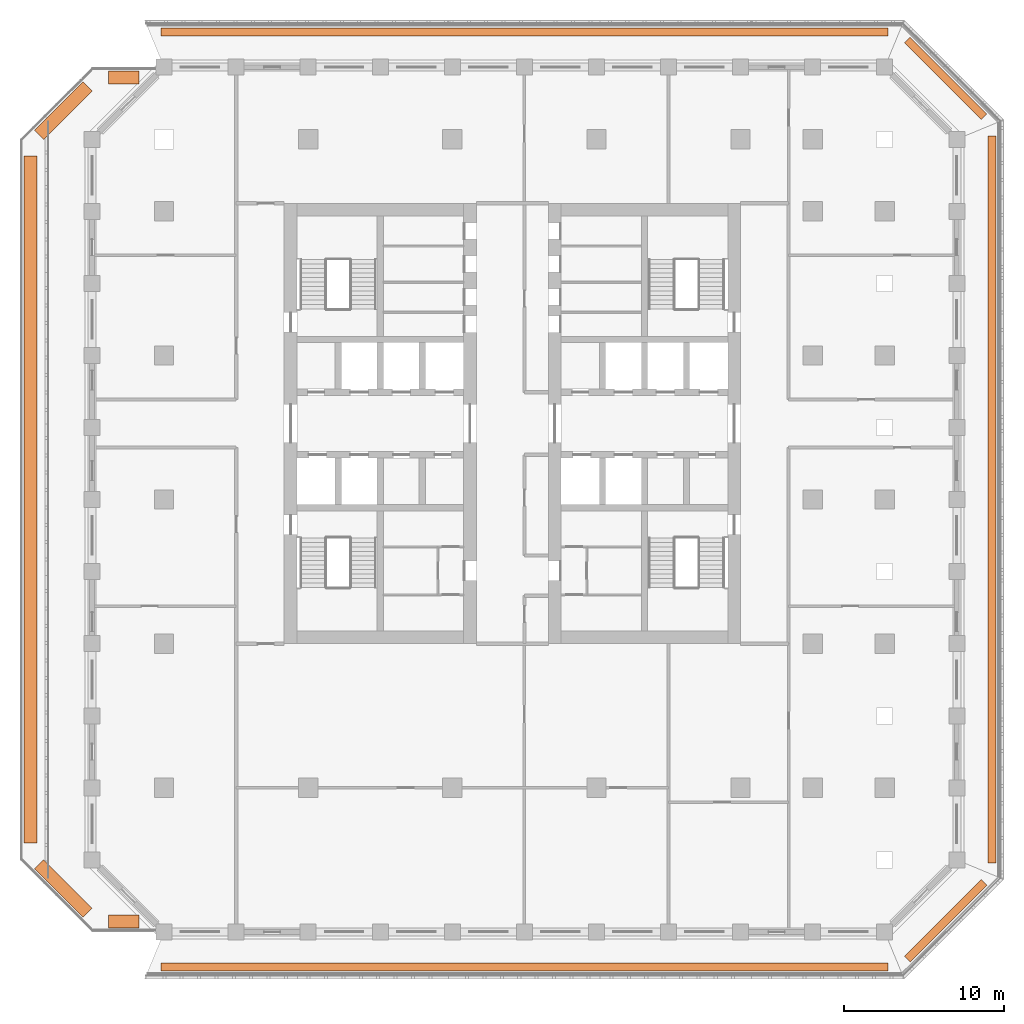
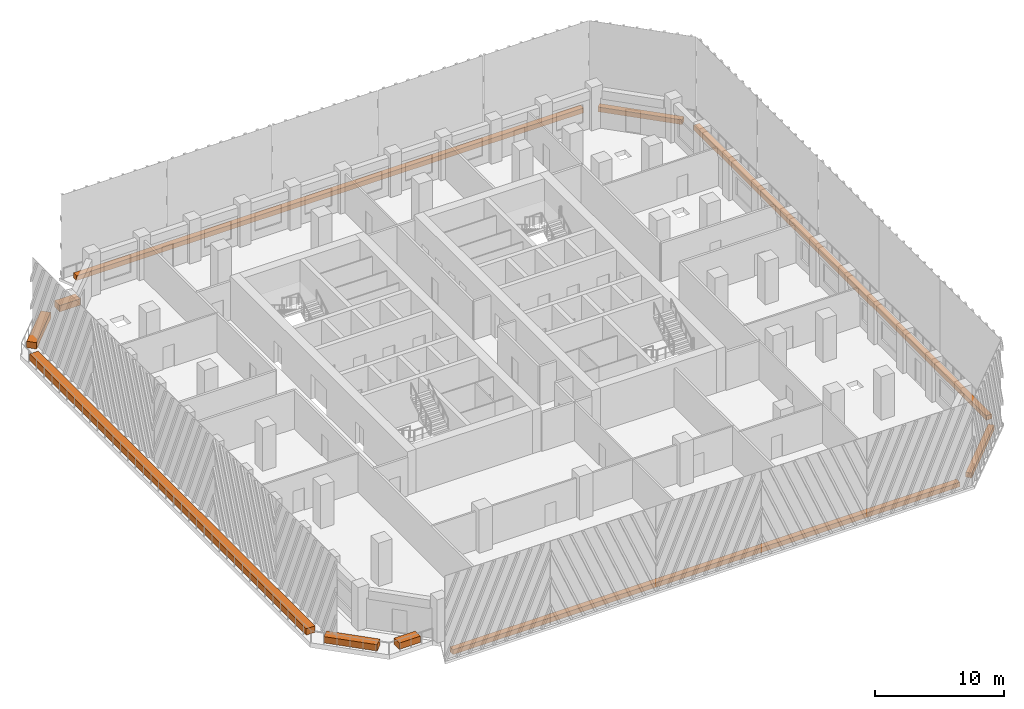
# One storey, part 16 of 16: 10 proxies.
"""IFC4 building model written with IfcOpenShell, lengths in metres."""

from ifc_helpers import new_model, si_unit, direction, frame, origin, origin_2d, place, context, subcontext, project, spatial, rectangle, extrude, material, type_object, element, save


model = new_model("IFC4")

# Units and contexts
model_context = context("Model", 3, precision=1e-05, world=origin(), true_north=direction((0.0, 1.0)))
body_context = subcontext(model_context, "Body", "Model", "MODEL_VIEW")
ifc_project = project(units=[si_unit("LENGTHUNIT", "METRE"), si_unit("AREAUNIT", "SQUARE_METRE"), si_unit("VOLUMEUNIT", "CUBIC_METRE"), si_unit("PLANEANGLEUNIT", "RADIAN"), si_unit("MASSUNIT", "GRAM", prefix="KILO")], contexts=[model_context])

# Site, building, storey
site_placement = place(None, origin())
site = spatial("IfcSite", under=ifc_project, at=site_placement, CompositionType="ELEMENT")
building_placement = place(site_placement, origin())
building = spatial("IfcBuilding", under=site, at=building_placement, Name="Corbel Stack Research Tower", CompositionType="ELEMENT")
storey_placement = place(building_placement, frame((0.0, 0.0, 191.5)))
storey = spatial("IfcBuildingStorey", under=building, at=storey_placement, Name="L43", CompositionType="ELEMENT", Elevation=191.5)

# Proxies
ifc_material_1 = material(Name="Concrete C45/55", Category="concrete")
building_element_proxy_type_1 = type_object("IfcBuildingElementProxyType", Name="Planter box", PredefinedType="USERDEFINED", material=ifc_material_1)
proxy_1_placement = place(storey_placement, frame((4.5, -29.199951171875, 0.0), z_axis=(0.0, 0.0, 1.0), x_axis=(1.0, 0.0, 0.0)))
element("IfcBuildingElementProxy", 1, at=proxy_1_placement, inside=storey, type_object=building_element_proxy_type_1, Name="Planter L43 S", ObjectType="PLANTER", PredefinedType="USERDEFINED", context=body_context, shape_type="SweptSolid", body=[
    extrude(rectangle(XDim=45.41064453125, YDim=0.5, at=origin_2d()), origin(), (0.0, 0.0, 1.0), 0.449951171875),
])
proxy_2_placement = place(storey_placement, frame((30.8056640625, -26.3056640625, 0.0), z_axis=(0.0, 0.0, 1.0), x_axis=(0.707106781187, 0.707106781187, 0.0)))
element("IfcBuildingElementProxy", 2, at=proxy_2_placement, inside=storey, type_object=building_element_proxy_type_1, Name="Planter L43 SE", ObjectType="PLANTER", PredefinedType="USERDEFINED", context=body_context, shape_type="SweptSolid", body=[
    extrude(rectangle(XDim=6.774658203125, YDim=0.5, at=origin_2d()), origin(), (0.0, 0.0, 1.0), 0.449951171875),
])
proxy_3_placement = place(storey_placement, frame((33.699951171875, 0.0, 0.0), z_axis=(0.0, 0.0, 1.0), x_axis=(0.0, 1.0, 0.0)))
element("IfcBuildingElementProxy", 3, at=proxy_3_placement, inside=storey, type_object=building_element_proxy_type_1, Name="Planter L43 E", ObjectType="PLANTER", PredefinedType="USERDEFINED", context=body_context, shape_type="SweptSolid", body=[
    extrude(rectangle(XDim=45.41064453125, YDim=0.5, at=origin_2d()), origin(), (0.0, 0.0, 1.0), 0.449951171875),
])
proxy_4_placement = place(storey_placement, frame((30.8056640625, 26.3056640625, 0.0), z_axis=(0.0, 0.0, 1.0), x_axis=(-0.707106781187, 0.707106781187, 0.0)))
element("IfcBuildingElementProxy", 4, at=proxy_4_placement, inside=storey, type_object=building_element_proxy_type_1, Name="Planter L43 NE", ObjectType="PLANTER", PredefinedType="USERDEFINED", context=body_context, shape_type="SweptSolid", body=[
    extrude(rectangle(XDim=6.774658203125, YDim=0.5, at=origin_2d()), origin(), (0.0, 0.0, 1.0), 0.449951171875),
])
proxy_5_placement = place(storey_placement, frame((4.5, 29.199951171875, 0.0), z_axis=(0.0, 0.0, 1.0), x_axis=(-1.0, 0.0, 0.0)))
element("IfcBuildingElementProxy", 5, at=proxy_5_placement, inside=storey, type_object=building_element_proxy_type_1, Name="Planter L43 N", ObjectType="PLANTER", PredefinedType="USERDEFINED", context=body_context, shape_type="SweptSolid", body=[
    extrude(rectangle(XDim=45.41064453125, YDim=0.5, at=origin_2d()), origin(), (0.0, 0.0, 1.0), 0.449951171875),
])
ifc_material_2 = material(Name="Concrete C45/55", Category="concrete")
building_element_proxy_type_2 = type_object("IfcBuildingElementProxyType", Name="Terrace planter bed", PredefinedType="USERDEFINED", material=ifc_material_2)
proxy_6_placement = place(storey_placement, frame((-20.516357421875, -26.35009765625, 0.0), z_axis=(0.0, 0.0, 1.0), x_axis=(-1.0, 0.0, 0.0)))
element("IfcBuildingElementProxy", 6, at=proxy_6_placement, inside=storey, type_object=building_element_proxy_type_2, Name="Terrace planter bed L43", ObjectType="PLANTER", PredefinedType="USERDEFINED", context=body_context, shape_type="SweptSolid", body=[
    extrude(rectangle(XDim=1.88427734375, YDim=0.800048828125, at=origin_2d()), origin(), (0.0, 0.0, 1.0), 0.60009765625),
])
proxy_7_placement = place(storey_placement, frame((-24.290283203125, -24.290283203125, 0.0), z_axis=(0.0, 0.0, 1.0), x_axis=(-0.707106781187, 0.707106781187, 0.0)))
element("IfcBuildingElementProxy", 7, at=proxy_7_placement, inside=storey, type_object=building_element_proxy_type_2, Name="Terrace planter bed L43", ObjectType="PLANTER", PredefinedType="USERDEFINED", context=body_context, shape_type="SweptSolid", body=[
    extrude(rectangle(XDim=4.281005859375, YDim=0.800048828125, at=origin_2d()), origin(), (0.0, 0.0, 1.0), 0.60009765625),
])
proxy_8_placement = place(storey_placement, frame((-26.35009765625, 0.0, 0.0), z_axis=(0.0, 0.0, 1.0), x_axis=(0.0, 1.0, 0.0)))
element("IfcBuildingElementProxy", 8, at=proxy_8_placement, inside=storey, type_object=building_element_proxy_type_2, Name="Terrace planter bed L43", ObjectType="PLANTER", PredefinedType="USERDEFINED", context=body_context, shape_type="SweptSolid", body=[
    extrude(rectangle(XDim=42.917236328125, YDim=0.800048828125, at=origin_2d()), origin(), (0.0, 0.0, 1.0), 0.60009765625),
])
proxy_9_placement = place(storey_placement, frame((-24.290283203125, 24.290283203125, 0.0), z_axis=(0.0, 0.0, 1.0), x_axis=(0.707106781187, 0.707106781187, 0.0)))
element("IfcBuildingElementProxy", 9, at=proxy_9_placement, inside=storey, type_object=building_element_proxy_type_2, Name="Terrace planter bed L43", ObjectType="PLANTER", PredefinedType="USERDEFINED", context=body_context, shape_type="SweptSolid", body=[
    extrude(rectangle(XDim=4.281005859375, YDim=0.800048828125, at=origin_2d()), origin(), (0.0, 0.0, 1.0), 0.60009765625),
])
proxy_10_placement = place(storey_placement, frame((-20.516357421875, 26.35009765625, 0.0), z_axis=(0.0, 0.0, 1.0), x_axis=(1.0, 0.0, 0.0)))
element("IfcBuildingElementProxy", 10, at=proxy_10_placement, inside=storey, type_object=building_element_proxy_type_2, Name="Terrace planter bed L43", ObjectType="PLANTER", PredefinedType="USERDEFINED", context=body_context, shape_type="SweptSolid", body=[
    extrude(rectangle(XDim=1.88427734375, YDim=0.800048828125, at=origin_2d()), origin(), (0.0, 0.0, 1.0), 0.60009765625),
])

save(model, "model.ifc")
